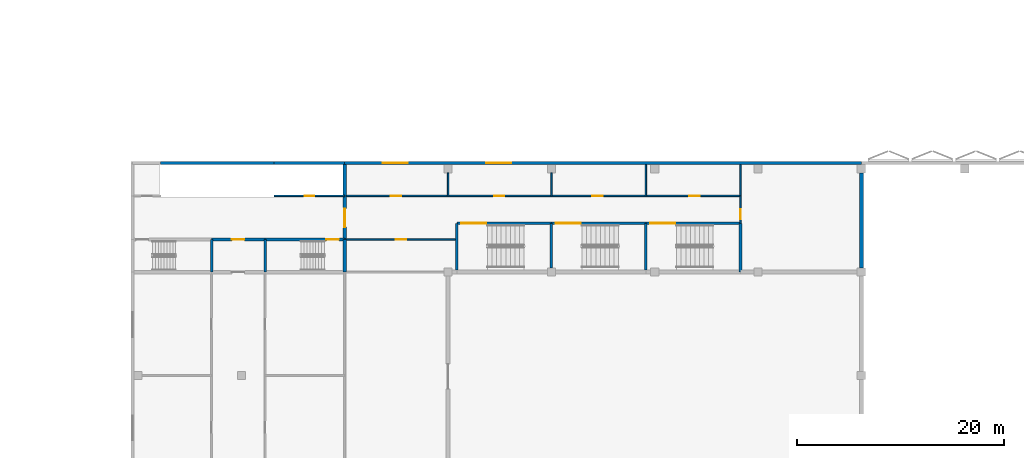
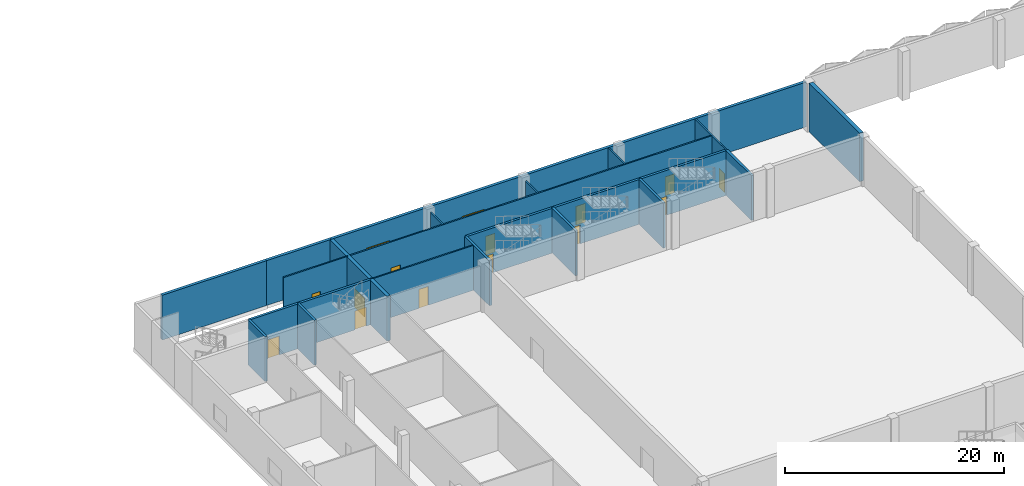
# One storey, part 16 of 35: 25 walls, 13 doors, 2 windows, 15 openings.
"""IFC4 building model written with IfcOpenShell, lengths in metres."""

from ifc_helpers import new_model, si_unit, direction, frame, frame_2d, origin, place, context, subcontext, project, spatial, rectangle, extrude, material, layer, layer_set, type_object, element, fill, save


model = new_model("IFC4")

# Units and contexts
model_context = context("Model", 3, precision=1e-05, world=origin(), true_north=direction((0.0, 1.0)))
body_context = subcontext(model_context, "Body", "Model", "MODEL_VIEW")
ifc_project = project(units=[si_unit("LENGTHUNIT", "METRE"), si_unit("AREAUNIT", "SQUARE_METRE"), si_unit("VOLUMEUNIT", "CUBIC_METRE"), si_unit("PLANEANGLEUNIT", "RADIAN"), si_unit("MASSUNIT", "GRAM", prefix="KILO")], contexts=[model_context])

# Site, building, storey
site_placement = place(None, origin())
site = spatial("IfcSite", under=ifc_project, at=site_placement, CompositionType="ELEMENT")
building_placement = place(site_placement, origin())
building = spatial("IfcBuilding", under=site, at=building_placement, Name="Jabali Bay Hotel Tower and Convention Centre", CompositionType="ELEMENT")
storey_placement = place(building_placement, frame((0.0, 0.0, 15.0)))
storey = spatial("IfcBuildingStorey", under=building, at=storey_placement, Name="L02", CompositionType="ELEMENT", Elevation=15.0)

# Wall
ifc_material_1 = material(Name="Concrete C60", Category="concrete")
ifc_layer_1 = layer(ifc_material_1, 0.35009765625)
ifc_layer_set_1 = layer_set([ifc_layer_1], Name="Concrete C60")
wall_type_1 = type_object("IfcWallType", Name="CC Core Wall 350", PredefinedType="SHEAR", material=ifc_layer_set_1)
wall_1_placement = place(storey_placement, frame((170.699951171875, 100.0, 0.0), z_axis=(0.0, 0.0, 1.0), x_axis=(0.0, 1.0, 0.0)))
element("IfcWall", 1, at=wall_1_placement, inside=storey, type_object=wall_type_1, Name="CC west core wall", PredefinedType="SHEAR", context=body_context, shape_type="SweptSolid", body=[
    extrude(rectangle(XDim=3.14990234375, YDim=0.35009765625, at=frame_2d((1.574951171875, 0.0))), origin(), (0.0, 0.0, 1.0), 4.989990234375),
])

# Wall, opening, door
wall_2_placement = place(storey_placement, frame((170.699951171875, 103.14990234375, 0.0), z_axis=(0.0, 0.0, 1.0), x_axis=(0.0, 1.0, 0.0)))
wall_2 = element("IfcWall", 2, at=wall_2_placement, inside=storey, type_object=wall_type_1, Name="CC west core wall", PredefinedType="SHEAR", context=body_context, shape_type="SweptSolid", body=[
    extrude(rectangle(XDim=7.25, YDim=0.35009765625, at=frame_2d((3.625, 0.0))), origin(), (0.0, 0.0, 1.0), 4.989990234375),
])
opening_1_placement = place(wall_2_placement, frame((1.199951171875, 0.0, 0.0)))
opening_1 = element("IfcOpeningElement", 3, at=opening_1_placement, cuts=wall_2, Name="Opening CC-D047", PredefinedType="OPENING", context=body_context, shape_type="SweptSolid", body=[
    extrude(rectangle(XDim=1.800048828125, YDim=2.10009765625, at=frame_2d((0.89990234375, 1.050048828125))), frame((0.0, 0.185546875, 0.0), z_axis=(0.0, -1.0, 0.0), x_axis=(1.0, 0.0, 0.0)), (0.0, 0.0, 1.0), 0.37109375),
])
ifc_material_2 = material(Name="Timber and steel door set", Category="steel")
door_type_1 = type_object("IfcDoorType", Name="CC Double Door 1800x2100", OperationType="NOTDEFINED", PredefinedType="DOOR", material=ifc_material_2)
door_1_placement = place(opening_1_placement, origin())
door_1 = element("IfcDoor", 4, at=door_1_placement, inside=storey, type_object=door_type_1, Name="CC door CC-D047", OperationType="DOUBLE_DOOR_SINGLE_SWING", OverallHeight=2.10009765625, OverallWidth=1.800048828125, PredefinedType="DOOR", context=body_context, shape_type="SweptSolid", body=[
    extrude(rectangle(XDim=1.800048828125, YDim=2.10009765625, at=frame_2d((0.89990234375, 1.050048828125))), frame((0.0, 0.02490234375, 0.0), z_axis=(0.0, -1.0, 0.0), x_axis=(1.0, 0.0, 0.0)), (0.0, 0.0, 1.0), 0.050048828125),
])
fill(opening_1, door_1)

# Walls
ifc_material_3 = material(Name="Concrete C40", Category="concrete")
ifc_layer_2 = layer(ifc_material_3, 0.300048828125)
ifc_layer_set_2 = layer_set([ifc_layer_2], Name="Concrete C40")
wall_type_2 = type_object("IfcWallType", Name="CC External Wall 300", PredefinedType="SOLIDWALL", material=ifc_layer_set_2)
wall_3_placement = place(storey_placement, frame((163.875, 110.550048828125, 0.0), z_axis=(0.0, 0.0, 1.0), x_axis=(1.0, 0.0, 0.0)))
element("IfcWall", 5, at=wall_3_placement, inside=storey, type_object=wall_type_2, Name="CC wall 163", PredefinedType="SOLIDWALL", context=body_context, shape_type="SweptSolid", body=[
    extrude(rectangle(XDim=6.824951171875, YDim=0.300048828125, at=frame_2d((3.41259765625, 0.0))), origin(), (0.0, 0.0, 1.0), 4.989990234375),
])
wall_4_placement = place(storey_placement, frame((152.875, 110.550048828125, 0.0), z_axis=(0.0, 0.0, 1.0), x_axis=(1.0, 0.0, 0.0)))
element("IfcWall", 6, at=wall_4_placement, inside=storey, type_object=wall_type_2, Name="CC wall 303", PredefinedType="SOLIDWALL", context=body_context, shape_type="SweptSolid", body=[
    extrude(rectangle(XDim=11.0, YDim=0.300048828125, at=frame_2d((5.5, 0.0))), origin(), (0.0, 0.0, 1.0), 4.989990234375),
])

# Wall, openings, windows
wall_5_placement = place(storey_placement, frame((170.699951171875, 110.550048828125, 0.0), z_axis=(0.0, 0.0, 1.0), x_axis=(1.0, 0.0, 0.0)))
wall_5 = element("IfcWall", 7, at=wall_5_placement, inside=storey, type_object=wall_type_2, Name="CC wall 304", PredefinedType="SOLIDWALL", context=body_context, shape_type="SweptSolid", body=[
    extrude(rectangle(XDim=50.0, YDim=0.300048828125, at=frame_2d((25.0, 0.0))), origin(), (0.0, 0.0, 1.0), 4.989990234375),
])
opening_2_placement = place(wall_5_placement, frame((3.699951171875, 0.0, 0.89990234375)))
opening_2 = element("IfcOpeningElement", 8, at=opening_2_placement, cuts=wall_5, Name="Opening CC-W028", PredefinedType="OPENING", context=body_context, shape_type="SweptSolid", body=[
    extrude(rectangle(XDim=2.39990234375, YDim=1.800048828125, at=frame_2d((1.199951171875, 0.89990234375))), frame((0.0, 0.16064453125, 0.0), z_axis=(0.0, -1.0, 0.0), x_axis=(1.0, 0.0, 0.0)), (0.0, 0.0, 1.0), 0.321044921875),
])
opening_3_placement = place(wall_5_placement, frame((13.699951171875, 0.0, 0.89990234375)))
opening_3 = element("IfcOpeningElement", 9, at=opening_3_placement, cuts=wall_5, Name="Opening CC-W029", PredefinedType="OPENING", context=body_context, shape_type="SweptSolid", body=[
    extrude(rectangle(XDim=2.39990234375, YDim=1.800048828125, at=frame_2d((1.199951171875, 0.89990234375))), frame((0.0, 0.16064453125, 0.0), z_axis=(0.0, -1.0, 0.0), x_axis=(1.0, 0.0, 0.0)), (0.0, 0.0, 1.0), 0.321044921875),
])
ifc_material_4 = material(Name="Aluminium 6063-T5 and glass", Category="aluminium")
window_type = type_object("IfcWindowType", Name="CC Window 2400x1800", PartitioningType="DOUBLE_PANEL_VERTICAL", PredefinedType="WINDOW", material=ifc_material_4)
window_1_placement = place(opening_2_placement, origin())
window_1 = element("IfcWindow", 10, at=window_1_placement, inside=storey, type_object=window_type, Name="CC window CC-W028", OverallHeight=1.800048828125, OverallWidth=2.39990234375, PartitioningType="DOUBLE_PANEL_VERTICAL", PredefinedType="WINDOW", context=body_context, shape_type="SweptSolid", body=[
    extrude(rectangle(XDim=2.39990234375, YDim=1.800048828125, at=frame_2d((1.199951171875, 0.89990234375))), frame((0.0, 0.030029296875, 0.0), z_axis=(0.0, -1.0, 0.0), x_axis=(1.0, 0.0, 0.0)), (0.0, 0.0, 1.0), 0.06005859375),
])
fill(opening_2, window_1)
window_2_placement = place(opening_3_placement, origin())
window_2 = element("IfcWindow", 11, at=window_2_placement, inside=storey, type_object=window_type, Name="CC window CC-W029", OverallHeight=1.800048828125, OverallWidth=2.39990234375, PartitioningType="DOUBLE_PANEL_VERTICAL", PredefinedType="WINDOW", context=body_context, shape_type="SweptSolid", body=[
    extrude(rectangle(XDim=2.39990234375, YDim=1.800048828125, at=frame_2d((1.199951171875, 0.89990234375))), frame((0.0, 0.030029296875, 0.0), z_axis=(0.0, -1.0, 0.0), x_axis=(1.0, 0.0, 0.0)), (0.0, 0.0, 1.0), 0.06005859375),
])
fill(opening_3, window_2)

# Wall
ifc_layer_3 = layer(ifc_material_3, 0.39990234375)
ifc_layer_set_3 = layer_set([ifc_layer_3], Name="Concrete C40")
wall_type_3 = type_object("IfcWallType", Name="CC Hall Wall 400", PredefinedType="SHEAR", material=ifc_layer_set_3)
wall_6_placement = place(storey_placement, frame((220.699951171875, 100.39990234375, 0.0), z_axis=(0.0, 0.0, 1.0), x_axis=(0.0, 1.0, 0.0)))
element("IfcWall", 12, at=wall_6_placement, inside=storey, type_object=wall_type_3, Name="CC plenary stage wall", PredefinedType="SHEAR", context=body_context, shape_type="SweptSolid", body=[
    extrude(rectangle(XDim=9.2001953125, YDim=0.39990234375, at=frame_2d((4.60009765625, 0.0))), origin(), (0.0, 0.0, 1.0), 5.39990234375),
])

# Wall, opening, door
ifc_material_5 = material(Name="Blockwork M10", Category="masonry")
ifc_layer_4 = layer(ifc_material_5, 0.14990234375)
ifc_layer_set_4 = layer_set([ifc_layer_4], Name="Blockwork M10")
wall_type_4 = type_object("IfcWallType", Name="CC Partition 150", PredefinedType="PARTITIONING", material=ifc_layer_set_4)
wall_7_placement = place(storey_placement, frame((163.875, 107.375, 0.0), z_axis=(0.0, 0.0, 1.0), x_axis=(1.0, 0.0, 0.0)))
wall_7 = element("IfcWall", 13, at=wall_7_placement, inside=storey, type_object=wall_type_4, Name="CC wall 162", PredefinedType="PARTITIONING", context=body_context, shape_type="SweptSolid", body=[
    extrude(rectangle(XDim=6.824951171875, YDim=0.14990234375, at=frame_2d((3.41259765625, 0.0))), origin(), (0.0, 0.0, 1.0), 4.989990234375),
])
opening_4_placement = place(wall_7_placement, frame((2.949951171875, 0.0, 0.0)))
opening_4 = element("IfcOpeningElement", 14, at=opening_4_placement, cuts=wall_7, Name="Opening CC-D154", PredefinedType="OPENING", context=body_context, shape_type="SweptSolid", body=[
    extrude(rectangle(XDim=0.89990234375, YDim=2.10009765625, at=frame_2d((0.449951171875, 1.050048828125))), frame((0.0, 0.08544921875, 0.0), z_axis=(0.0, -1.0, 0.0), x_axis=(1.0, 0.0, 0.0)), (0.0, 0.0, 1.0), 0.1708984375),
])
door_type_2 = type_object("IfcDoorType", Name="CC Riser Door 900x2100", OperationType="NOTDEFINED", PredefinedType="DOOR", material=ifc_material_2)
door_2_placement = place(opening_4_placement, origin())
door_2 = element("IfcDoor", 15, at=door_2_placement, inside=storey, type_object=door_type_2, Name="CC door CC-D154", OperationType="SINGLE_SWING_RIGHT", OverallHeight=2.10009765625, OverallWidth=0.89990234375, PredefinedType="DOOR", context=body_context, shape_type="SweptSolid", body=[
    extrude(rectangle(XDim=0.89990234375, YDim=2.10009765625, at=frame_2d((0.449951171875, 1.050048828125))), frame((0.0, 0.02490234375, 0.0), z_axis=(0.0, -1.0, 0.0), x_axis=(1.0, 0.0, 0.0)), (0.0, 0.0, 1.0), 0.050048828125),
])
fill(opening_4, door_2)

wall_8_placement = place(storey_placement, frame((170.699951171875, 103.14990234375, 0.0), z_axis=(0.0, 0.0, 1.0), x_axis=(1.0, 0.0, 0.0)))
wall_8 = element("IfcWall", 16, at=wall_8_placement, inside=storey, type_object=wall_type_4, Name="CC wall 451", PredefinedType="PARTITIONING", context=body_context, shape_type="SweptSolid", body=[
    extrude(rectangle(XDim=10.85009765625, YDim=0.14990234375, at=frame_2d((5.425048828125, 0.0))), origin(), (0.0, 0.0, 1.0), 4.989990234375),
])
opening_5_placement = place(wall_8_placement, frame((4.949951171875, 0.0, 0.0)))
opening_5 = element("IfcOpeningElement", 17, at=opening_5_placement, cuts=wall_8, Name="Opening CC-D110", PredefinedType="OPENING", context=body_context, shape_type="SweptSolid", body=[
    extrude(rectangle(XDim=1.0, YDim=2.10009765625, at=frame_2d((0.5, 1.050048828125))), frame((0.0, 0.08544921875, 0.0), z_axis=(0.0, -1.0, 0.0), x_axis=(1.0, 0.0, 0.0)), (0.0, 0.0, 1.0), 0.1708984375),
])
door_type_3 = type_object("IfcDoorType", Name="CC Single Door 1000x2100", OperationType="NOTDEFINED", PredefinedType="DOOR", material=ifc_material_2)
door_3_placement = place(opening_5_placement, origin())
door_3 = element("IfcDoor", 18, at=door_3_placement, inside=storey, type_object=door_type_3, Name="CC door CC-D110", OperationType="SINGLE_SWING_RIGHT", OverallHeight=2.10009765625, OverallWidth=1.0, PredefinedType="DOOR", context=body_context, shape_type="SweptSolid", body=[
    extrude(rectangle(XDim=1.0, YDim=2.10009765625, at=frame_2d((0.5, 1.050048828125))), frame((0.0, 0.02490234375, 0.0), z_axis=(0.0, -1.0, 0.0), x_axis=(1.0, 0.0, 0.0)), (0.0, 0.0, 1.0), 0.050048828125),
])
fill(opening_5, door_3)

# Wall, openings, doors
wall_9_placement = place(storey_placement, frame((209.0, 107.375, 0.0), z_axis=(0.0, 0.0, 1.0), x_axis=(-1.0, 0.0, 0.0)))
wall_9 = element("IfcWall", 19, at=wall_9_placement, inside=storey, type_object=wall_type_4, Name="CC wall 452", PredefinedType="PARTITIONING", context=body_context, shape_type="SweptSolid", body=[
    extrude(rectangle(XDim=38.300048828125, YDim=0.14990234375, at=frame_2d((19.14990234375, 0.0))), origin(), (0.0, 0.0, 1.0), 4.989990234375),
])
opening_6_placement = place(wall_9_placement, frame((32.85009765625, 0.0, 0.0)))
opening_6 = element("IfcOpeningElement", 20, at=opening_6_placement, cuts=wall_9, Name="Opening CC-D111", PredefinedType="OPENING", context=body_context, shape_type="SweptSolid", body=[
    extrude(rectangle(XDim=1.0, YDim=2.10009765625, at=frame_2d((0.5, 1.050048828125))), frame((0.0, 0.08544921875, 0.0), z_axis=(0.0, -1.0, 0.0), x_axis=(1.0, 0.0, 0.0)), (0.0, 0.0, 1.0), 0.1708984375),
])
opening_7_placement = place(wall_9_placement, frame((22.85009765625, 0.0, 0.0)))
opening_7 = element("IfcOpeningElement", 21, at=opening_7_placement, cuts=wall_9, Name="Opening CC-D112", PredefinedType="OPENING", context=body_context, shape_type="SweptSolid", body=[
    extrude(rectangle(XDim=1.0, YDim=2.10009765625, at=frame_2d((0.5, 1.050048828125))), frame((0.0, 0.08544921875, 0.0), z_axis=(0.0, -1.0, 0.0), x_axis=(1.0, 0.0, 0.0)), (0.0, 0.0, 1.0), 0.1708984375),
])
opening_8_placement = place(wall_9_placement, frame((13.35009765625, 0.0, 0.0)))
opening_8 = element("IfcOpeningElement", 22, at=opening_8_placement, cuts=wall_9, Name="Opening CC-D113", PredefinedType="OPENING", context=body_context, shape_type="SweptSolid", body=[
    extrude(rectangle(XDim=1.0, YDim=2.10009765625, at=frame_2d((0.5, 1.050048828125))), frame((0.0, 0.08544921875, 0.0), z_axis=(0.0, -1.0, 0.0), x_axis=(1.0, 0.0, 0.0)), (0.0, 0.0, 1.0), 0.1708984375),
])
opening_9_placement = place(wall_9_placement, frame((3.949951171875, 0.0, 0.0)))
opening_9 = element("IfcOpeningElement", 23, at=opening_9_placement, cuts=wall_9, Name="Opening CC-D114", PredefinedType="OPENING", context=body_context, shape_type="SweptSolid", body=[
    extrude(rectangle(XDim=1.0, YDim=2.10009765625, at=frame_2d((0.5, 1.050048828125))), frame((0.0, 0.08544921875, 0.0), z_axis=(0.0, -1.0, 0.0), x_axis=(1.0, 0.0, 0.0)), (0.0, 0.0, 1.0), 0.1708984375),
])
door_4_placement = place(opening_6_placement, origin())
door_4 = element("IfcDoor", 24, at=door_4_placement, inside=storey, type_object=door_type_3, Name="CC door CC-D111", OperationType="SINGLE_SWING_LEFT", OverallHeight=2.10009765625, OverallWidth=1.0, PredefinedType="DOOR", context=body_context, shape_type="SweptSolid", body=[
    extrude(rectangle(XDim=1.0, YDim=2.10009765625, at=frame_2d((0.5, 1.050048828125))), frame((0.0, 0.02490234375, 0.0), z_axis=(0.0, -1.0, 0.0), x_axis=(1.0, 0.0, 0.0)), (0.0, 0.0, 1.0), 0.050048828125),
])
fill(opening_6, door_4)
door_5_placement = place(opening_7_placement, origin())
door_5 = element("IfcDoor", 25, at=door_5_placement, inside=storey, type_object=door_type_3, Name="CC door CC-D112", OperationType="SINGLE_SWING_RIGHT", OverallHeight=2.10009765625, OverallWidth=1.0, PredefinedType="DOOR", context=body_context, shape_type="SweptSolid", body=[
    extrude(rectangle(XDim=1.0, YDim=2.10009765625, at=frame_2d((0.5, 1.050048828125))), frame((0.0, 0.02490234375, 0.0), z_axis=(0.0, -1.0, 0.0), x_axis=(1.0, 0.0, 0.0)), (0.0, 0.0, 1.0), 0.050048828125),
])
fill(opening_7, door_5)
door_6_placement = place(opening_8_placement, origin())
door_6 = element("IfcDoor", 26, at=door_6_placement, inside=storey, type_object=door_type_3, Name="CC door CC-D113", OperationType="SINGLE_SWING_LEFT", OverallHeight=2.10009765625, OverallWidth=1.0, PredefinedType="DOOR", context=body_context, shape_type="SweptSolid", body=[
    extrude(rectangle(XDim=1.0, YDim=2.10009765625, at=frame_2d((0.5, 1.050048828125))), frame((0.0, 0.02490234375, 0.0), z_axis=(0.0, -1.0, 0.0), x_axis=(1.0, 0.0, 0.0)), (0.0, 0.0, 1.0), 0.050048828125),
])
fill(opening_8, door_6)
door_7_placement = place(opening_9_placement, origin())
door_7 = element("IfcDoor", 27, at=door_7_placement, inside=storey, type_object=door_type_3, Name="CC door CC-D114", OperationType="SINGLE_SWING_RIGHT", OverallHeight=2.10009765625, OverallWidth=1.0, PredefinedType="DOOR", context=body_context, shape_type="SweptSolid", body=[
    extrude(rectangle(XDim=1.0, YDim=2.10009765625, at=frame_2d((0.5, 1.050048828125))), frame((0.0, 0.02490234375, 0.0), z_axis=(0.0, -1.0, 0.0), x_axis=(1.0, 0.0, 0.0)), (0.0, 0.0, 1.0), 0.050048828125),
])
fill(opening_9, door_7)

# Wall, opening, door
wall_10_placement = place(storey_placement, frame((209.0, 104.72509765625, 0.0), z_axis=(0.0, 0.0, 1.0), x_axis=(0.0, 1.0, 0.0)))
wall_10 = element("IfcWall", 28, at=wall_10_placement, inside=storey, type_object=wall_type_4, Name="CC wall 453", PredefinedType="PARTITIONING", context=body_context, shape_type="SweptSolid", body=[
    extrude(rectangle(XDim=2.64990234375, YDim=0.14990234375, at=frame_2d((1.324951171875, 0.0))), origin(), (0.0, 0.0, 1.0), 4.989990234375),
])
opening_10_placement = place(wall_10_placement, frame((0.375, 0.0, 0.0)))
opening_10 = element("IfcOpeningElement", 29, at=opening_10_placement, cuts=wall_10, Name="Opening CC-D115", PredefinedType="OPENING", context=body_context, shape_type="SweptSolid", body=[
    extrude(rectangle(XDim=1.0, YDim=2.10009765625, at=frame_2d((0.5, 1.050048828125))), frame((0.0, 0.08544921875, 0.0), z_axis=(0.0, -1.0, 0.0), x_axis=(1.0, 0.0, 0.0)), (0.0, 0.0, 1.0), 0.1708984375),
])
door_type_4 = type_object("IfcDoorType", Name="CC Plant Room Door 1000x2100", OperationType="NOTDEFINED", PredefinedType="DOOR", material=ifc_material_2)
door_8_placement = place(opening_10_placement, origin())
door_8 = element("IfcDoor", 30, at=door_8_placement, inside=storey, type_object=door_type_4, Name="CC door CC-D115", OperationType="SINGLE_SWING_LEFT", OverallHeight=2.10009765625, OverallWidth=1.0, PredefinedType="DOOR", context=body_context, shape_type="SweptSolid", body=[
    extrude(rectangle(XDim=1.0, YDim=2.10009765625, at=frame_2d((0.5, 1.050048828125))), frame((0.0, 0.02490234375, 0.0), z_axis=(0.0, -1.0, 0.0), x_axis=(1.0, 0.0, 0.0)), (0.0, 0.0, 1.0), 0.050048828125),
])
fill(opening_10, door_8)

# Walls
for number, where, z_axis, x_axis, name in (
    (31, (180.699951171875, 107.375, 0.0), (0.0, 0.0, 1.0), (0.0, 1.0, 0.0), "CC wall 454"),
    (32, (190.699951171875, 107.375, 0.0), (0.0, 0.0, 1.0), (0.0, 1.0, 0.0), "CC wall 455"),
):
    element("IfcWall", number, at=place(storey_placement, frame(where, z_axis=z_axis, x_axis=x_axis)), inside=storey, type_object=wall_type_4, Name=name, PredefinedType="PARTITIONING", context=body_context, shape_type="SweptSolid", body=[
        extrude(rectangle(XDim=2.22509765625, YDim=0.14990234375, at=frame_2d((1.112548828125, 0.0))), origin(), (0.0, 0.0, 1.0), 4.989990234375),
    ])
for number, where, z_axis, x_axis, name in (
    (33, (199.85009765625, 107.375, 0.0), (0.0, 0.0, 1.0), (0.0, 1.0, 0.0), "CC wall 456"),
    (34, (209.0, 107.375, 0.0), (0.0, 0.0, 1.0), (0.0, 1.0, 0.0), "CC wall 457"),
):
    element("IfcWall", number, at=place(storey_placement, frame(where, z_axis=z_axis, x_axis=x_axis)), inside=storey, type_object=wall_type_4, Name=name, PredefinedType="PARTITIONING", context=body_context, shape_type="SweptSolid", body=[
        extrude(rectangle(XDim=3.02490234375, YDim=0.14990234375, at=frame_2d((1.512451171875, 0.0))), origin(), (0.0, 0.0, 1.0), 4.989990234375),
    ])

# Wall, opening, door
ifc_layer_5 = layer(ifc_material_3, 0.25)
ifc_layer_set_5 = layer_set([ifc_layer_5], Name="Concrete C40")
wall_type_5 = type_object("IfcWallType", Name="CC Shaft Wall 250", PredefinedType="SHEAR", material=ifc_layer_set_5)
wall_11_placement = place(storey_placement, frame((157.824951171875, 103.14990234375, 0.0), z_axis=(0.0, 0.0, 1.0), x_axis=(1.0, 0.0, 0.0)))
wall_11 = element("IfcWall", 35, at=wall_11_placement, inside=storey, type_object=wall_type_5, Name="CC west core wall", PredefinedType="SHEAR", context=body_context, shape_type="SweptSolid", body=[
    extrude(rectangle(XDim=5.175048828125, YDim=0.25, at=frame_2d((2.58740234375, 0.0))), origin(), (0.0, 0.0, 1.0), 4.989990234375),
])
opening_11_placement = place(wall_11_placement, frame((1.949951171875, 0.0, 0.0)))
opening_11 = element("IfcOpeningElement", 36, at=opening_11_placement, cuts=wall_11, Name="Opening CC-D148", PredefinedType="OPENING", context=body_context, shape_type="SweptSolid", body=[
    extrude(rectangle(XDim=1.199951171875, YDim=2.10009765625, at=frame_2d((0.60009765625, 1.050048828125))), frame((0.0, 0.135498046875, 0.0), z_axis=(0.0, -1.0, 0.0), x_axis=(1.0, 0.0, 0.0)), (0.0, 0.0, 1.0), 0.27099609375),
])
door_type_5 = type_object("IfcDoorType", Name="CC Vestibule Door 1200x2100", OperationType="NOTDEFINED", PredefinedType="DOOR", material=ifc_material_2)
door_9_placement = place(opening_11_placement, origin())
door_9 = element("IfcDoor", 37, at=door_9_placement, inside=storey, type_object=door_type_5, Name="CC door CC-D148", OperationType="SINGLE_SWING_RIGHT", OverallHeight=2.10009765625, OverallWidth=1.199951171875, PredefinedType="DOOR", context=body_context, shape_type="SweptSolid", body=[
    extrude(rectangle(XDim=1.199951171875, YDim=2.10009765625, at=frame_2d((0.60009765625, 1.050048828125))), frame((0.0, 0.02490234375, 0.0), z_axis=(0.0, -1.0, 0.0), x_axis=(1.0, 0.0, 0.0)), (0.0, 0.0, 1.0), 0.050048828125),
])
fill(opening_11, door_9)

wall_12_placement = place(storey_placement, frame((163.0, 103.14990234375, 0.0), z_axis=(0.0, 0.0, 1.0), x_axis=(1.0, 0.0, 0.0)))
wall_12 = element("IfcWall", 38, at=wall_12_placement, inside=storey, type_object=wall_type_5, Name="CC west core wall", PredefinedType="SHEAR", context=body_context, shape_type="SweptSolid", body=[
    extrude(rectangle(XDim=7.699951171875, YDim=0.25, at=frame_2d((3.85009765625, 0.0))), origin(), (0.0, 0.0, 1.0), 4.989990234375),
])
opening_12_placement = place(wall_12_placement, frame((5.925048828125, 0.0, 0.0)))
opening_12 = element("IfcOpeningElement", 39, at=opening_12_placement, cuts=wall_12, Name="Opening CC-D147", PredefinedType="OPENING", context=body_context, shape_type="SweptSolid", body=[
    extrude(rectangle(XDim=1.199951171875, YDim=2.10009765625, at=frame_2d((0.60009765625, 1.050048828125))), frame((0.0, 0.135498046875, 0.0), z_axis=(0.0, -1.0, 0.0), x_axis=(1.0, 0.0, 0.0)), (0.0, 0.0, 1.0), 0.27099609375),
])
door_type_6 = type_object("IfcDoorType", Name="CC Stair Door 1200x2100", OperationType="NOTDEFINED", PredefinedType="DOOR", material=ifc_material_2)
door_10_placement = place(opening_12_placement, origin())
door_10 = element("IfcDoor", 40, at=door_10_placement, inside=storey, type_object=door_type_6, Name="CC door CC-D147", OperationType="SINGLE_SWING_LEFT", OverallHeight=2.10009765625, OverallWidth=1.199951171875, PredefinedType="DOOR", context=body_context, shape_type="SweptSolid", body=[
    extrude(rectangle(XDim=1.199951171875, YDim=2.10009765625, at=frame_2d((0.60009765625, 1.050048828125))), frame((0.0, 0.02490234375, 0.0), z_axis=(0.0, -1.0, 0.0), x_axis=(1.0, 0.0, 0.0)), (0.0, 0.0, 1.0), 0.050048828125),
])
fill(opening_12, door_10)

# Walls
for number, where, z_axis, x_axis, name in (
    (41, (157.824951171875, 100.0, 0.0), (0.0, 0.0, 1.0), (0.0, 1.0, 0.0), "CC west core wall"),
    (42, (163.0, 100.0, 0.0), (0.0, 0.0, 1.0), (0.0, 1.0, 0.0), "CC west core wall"),
):
    element("IfcWall", number, at=place(storey_placement, frame(where, z_axis=z_axis, x_axis=x_axis)), inside=storey, type_object=wall_type_5, Name=name, PredefinedType="SHEAR", context=body_context, shape_type="SweptSolid", body=[
        extrude(rectangle(XDim=3.14990234375, YDim=0.25, at=frame_2d((1.574951171875, 0.0))), origin(), (0.0, 0.0, 1.0), 4.989990234375),
    ])

# Wall, opening, door
wall_13_placement = place(storey_placement, frame((181.550048828125, 104.72509765625, 0.0), z_axis=(0.0, 0.0, 1.0), x_axis=(1.0, 0.0, 0.0)))
wall_13 = element("IfcWall", 43, at=wall_13_placement, inside=storey, type_object=wall_type_5, Name="CC wall 444", PredefinedType="SHEAR", context=body_context, shape_type="SweptSolid", body=[
    extrude(rectangle(XDim=9.14990234375, YDim=0.25, at=frame_2d((4.574951171875, 0.0))), origin(), (0.0, 0.0, 1.0), 4.989990234375),
])
opening_13_placement = place(wall_13_placement, frame((0.425048828125, 0.0, 0.0)))
opening_13 = element("IfcOpeningElement", 44, at=opening_13_placement, cuts=wall_13, Name="Opening CC-D233", PredefinedType="OPENING", context=body_context, shape_type="SweptSolid", body=[
    extrude(rectangle(XDim=2.39990234375, YDim=2.10009765625, at=frame_2d((1.199951171875, 1.050048828125))), frame((0.0, 0.135498046875, 0.0), z_axis=(0.0, -1.0, 0.0), x_axis=(1.0, 0.0, 0.0)), (0.0, 0.0, 1.0), 0.27099609375),
])
door_type_7 = type_object("IfcDoorType", Name="CC Stair Door Pair 2400x2100", OperationType="NOTDEFINED", PredefinedType="DOOR", material=ifc_material_2)
door_11_placement = place(opening_13_placement, origin())
door_11 = element("IfcDoor", 45, at=door_11_placement, inside=storey, type_object=door_type_7, Name="CC door CC-D233", OperationType="DOUBLE_DOOR_SINGLE_SWING", OverallHeight=2.10009765625, OverallWidth=2.39990234375, PredefinedType="DOOR", context=body_context, shape_type="SweptSolid", body=[
    extrude(rectangle(XDim=2.39990234375, YDim=2.10009765625, at=frame_2d((1.199951171875, 1.050048828125))), frame((0.0, 0.02490234375, 0.0), z_axis=(0.0, -1.0, 0.0), x_axis=(1.0, 0.0, 0.0)), (0.0, 0.0, 1.0), 0.050048828125),
])
fill(opening_13, door_11)

# Walls
wall_14_placement = place(storey_placement, frame((181.550048828125, 100.199951171875, 0.0), z_axis=(0.0, 0.0, 1.0), x_axis=(0.0, 1.0, 0.0)))
element("IfcWall", 46, at=wall_14_placement, inside=storey, type_object=wall_type_5, Name="CC wall 445", PredefinedType="SHEAR", context=body_context, shape_type="SweptSolid", body=[
    extrude(rectangle(XDim=4.525146484375, YDim=0.25, at=frame_2d((2.2626953125, 0.0))), origin(), (0.0, 0.0, 1.0), 4.989990234375),
])
wall_15_placement = place(storey_placement, frame((190.699951171875, 100.39990234375, 0.0), z_axis=(0.0, 0.0, 1.0), x_axis=(0.0, 1.0, 0.0)))
element("IfcWall", 47, at=wall_15_placement, inside=storey, type_object=wall_type_5, Name="CC wall 446", PredefinedType="SHEAR", context=body_context, shape_type="SweptSolid", body=[
    extrude(rectangle(XDim=4.3251953125, YDim=0.25, at=frame_2d((2.16259765625, 0.0))), origin(), (0.0, 0.0, 1.0), 4.989990234375),
])

# Wall, opening, door
wall_16_placement = place(storey_placement, frame((190.699951171875, 104.72509765625, 0.0), z_axis=(0.0, 0.0, 1.0), x_axis=(1.0, 0.0, 0.0)))
wall_16 = element("IfcWall", 48, at=wall_16_placement, inside=storey, type_object=wall_type_5, Name="CC wall 447", PredefinedType="SHEAR", context=body_context, shape_type="SweptSolid", body=[
    extrude(rectangle(XDim=9.150146484375, YDim=0.25, at=frame_2d((4.5751953125, 0.0))), origin(), (0.0, 0.0, 1.0), 4.989990234375),
])
opening_14_placement = place(wall_16_placement, frame((0.425048828125, 0.0, 0.0)))
opening_14 = element("IfcOpeningElement", 49, at=opening_14_placement, cuts=wall_16, Name="Opening CC-D237", PredefinedType="OPENING", context=body_context, shape_type="SweptSolid", body=[
    extrude(rectangle(XDim=2.39990234375, YDim=2.10009765625, at=frame_2d((1.199951171875, 1.050048828125))), frame((0.0, 0.135498046875, 0.0), z_axis=(0.0, -1.0, 0.0), x_axis=(1.0, 0.0, 0.0)), (0.0, 0.0, 1.0), 0.27099609375),
])
door_12_placement = place(opening_14_placement, origin())
door_12 = element("IfcDoor", 50, at=door_12_placement, inside=storey, type_object=door_type_7, Name="CC door CC-D237", OperationType="DOUBLE_DOOR_SINGLE_SWING", OverallHeight=2.10009765625, OverallWidth=2.39990234375, PredefinedType="DOOR", context=body_context, shape_type="SweptSolid", body=[
    extrude(rectangle(XDim=2.39990234375, YDim=2.10009765625, at=frame_2d((1.199951171875, 1.050048828125))), frame((0.0, 0.02490234375, 0.0), z_axis=(0.0, -1.0, 0.0), x_axis=(1.0, 0.0, 0.0)), (0.0, 0.0, 1.0), 0.050048828125),
])
fill(opening_14, door_12)

# Wall
wall_17_placement = place(storey_placement, frame((199.85009765625, 100.199951171875, 0.0), z_axis=(0.0, 0.0, 1.0), x_axis=(0.0, 1.0, 0.0)))
element("IfcWall", 51, at=wall_17_placement, inside=storey, type_object=wall_type_5, Name="CC wall 448", PredefinedType="SHEAR", context=body_context, shape_type="SweptSolid", body=[
    extrude(rectangle(XDim=4.525146484375, YDim=0.25, at=frame_2d((2.2626953125, 0.0))), origin(), (0.0, 0.0, 1.0), 4.989990234375),
])

# Wall, opening, door
wall_18_placement = place(storey_placement, frame((199.85009765625, 104.72509765625, 0.0), z_axis=(0.0, 0.0, 1.0), x_axis=(1.0, 0.0, 0.0)))
wall_18 = element("IfcWall", 52, at=wall_18_placement, inside=storey, type_object=wall_type_5, Name="CC wall 449", PredefinedType="SHEAR", context=body_context, shape_type="SweptSolid", body=[
    extrude(rectangle(XDim=9.14990234375, YDim=0.25, at=frame_2d((4.574951171875, 0.0))), origin(), (0.0, 0.0, 1.0), 4.989990234375),
])
opening_15_placement = place(wall_18_placement, frame((0.425048828125, 0.0, 0.0)))
opening_15 = element("IfcOpeningElement", 53, at=opening_15_placement, cuts=wall_18, Name="Opening CC-D241", PredefinedType="OPENING", context=body_context, shape_type="SweptSolid", body=[
    extrude(rectangle(XDim=2.39990234375, YDim=2.10009765625, at=frame_2d((1.199951171875, 1.050048828125))), frame((0.0, 0.135498046875, 0.0), z_axis=(0.0, -1.0, 0.0), x_axis=(1.0, 0.0, 0.0)), (0.0, 0.0, 1.0), 0.27099609375),
])
door_13_placement = place(opening_15_placement, origin())
door_13 = element("IfcDoor", 54, at=door_13_placement, inside=storey, type_object=door_type_7, Name="CC door CC-D241", OperationType="DOUBLE_DOOR_SINGLE_SWING", OverallHeight=2.10009765625, OverallWidth=2.39990234375, PredefinedType="DOOR", context=body_context, shape_type="SweptSolid", body=[
    extrude(rectangle(XDim=2.39990234375, YDim=2.10009765625, at=frame_2d((1.199951171875, 1.050048828125))), frame((0.0, 0.02490234375, 0.0), z_axis=(0.0, -1.0, 0.0), x_axis=(1.0, 0.0, 0.0)), (0.0, 0.0, 1.0), 0.050048828125),
])
fill(opening_15, door_13)

# Wall
wall_19_placement = place(storey_placement, frame((209.0, 100.0, 0.0), z_axis=(0.0, 0.0, 1.0), x_axis=(0.0, 1.0, 0.0)))
element("IfcWall", 55, at=wall_19_placement, inside=storey, type_object=wall_type_5, Name="CC wall 450", PredefinedType="SHEAR", context=body_context, shape_type="SweptSolid", body=[
    extrude(rectangle(XDim=4.72509765625, YDim=0.25, at=frame_2d((2.362548828125, 0.0))), origin(), (0.0, 0.0, 1.0), 4.989990234375),
])

save(model, "model.ifc")
